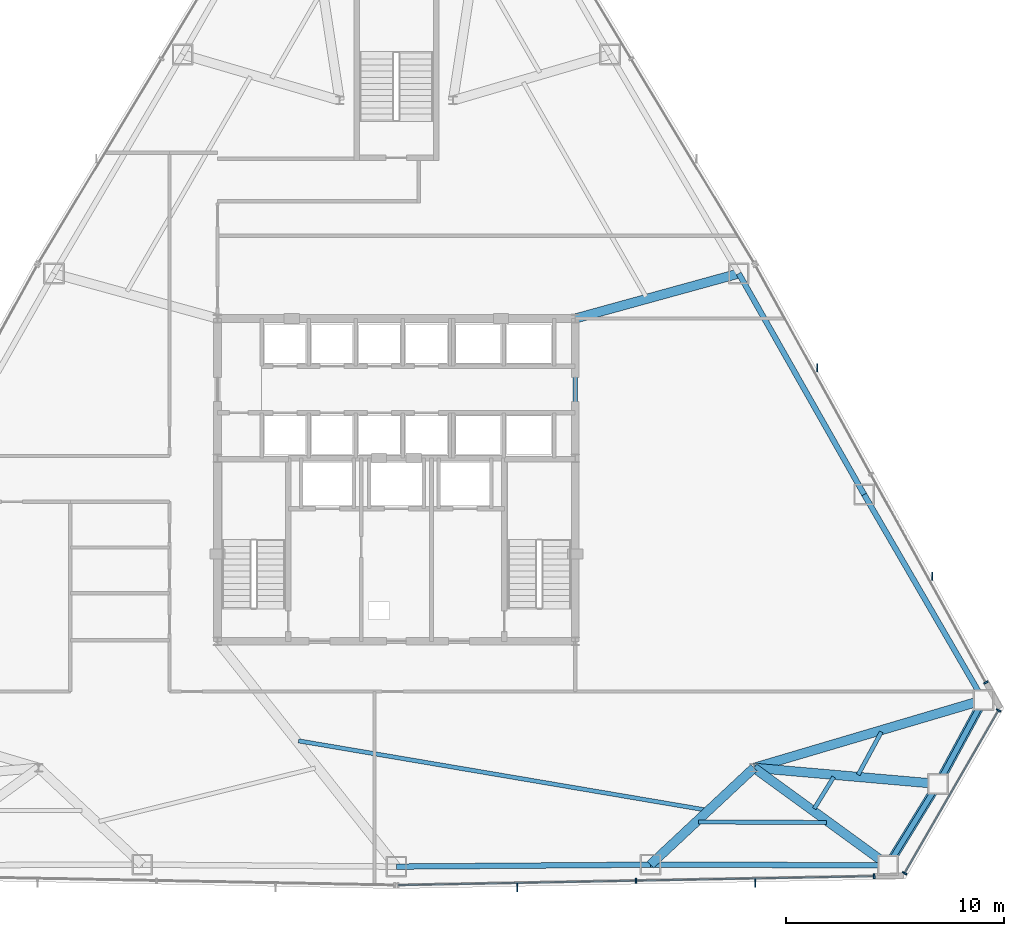
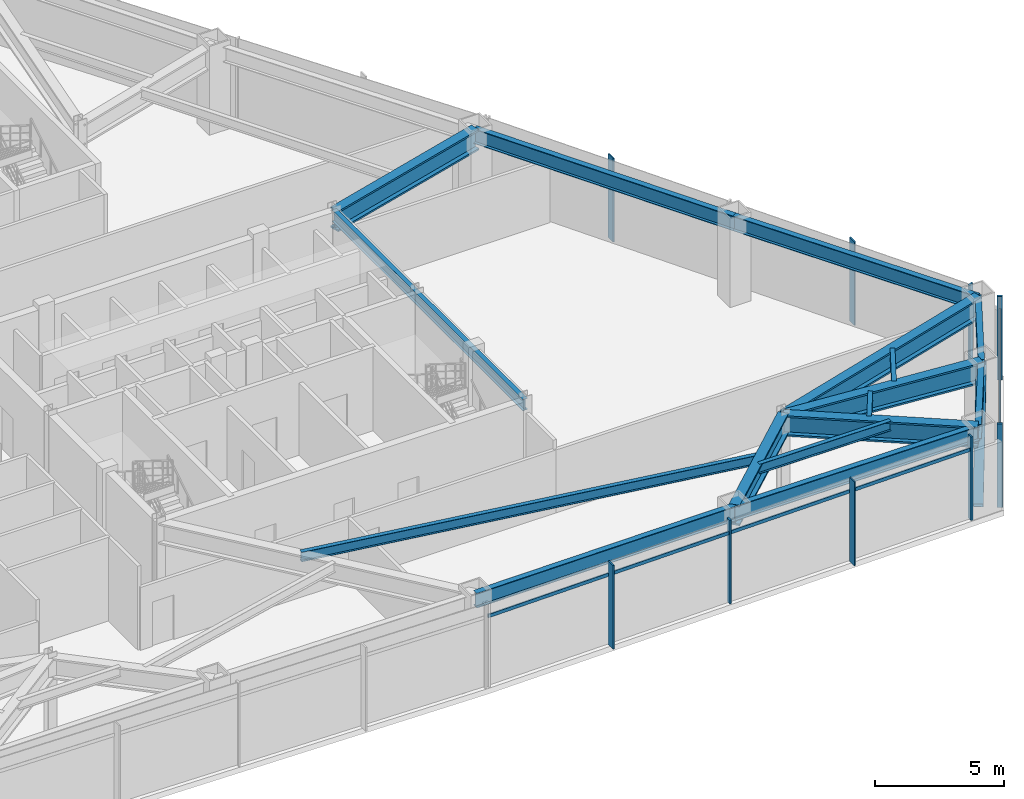
# One storey, part 6 of 13: 16 beams, 13 members, 3 elements without a shape of their own.
"""IFC4 building model written with IfcOpenShell, lengths in metres."""

from ifc_helpers import new_model, si_unit, direction, frame, origin, origin_2d, place, context, subcontext, project, spatial, rectangle, hollow_rectangle, i_section, extrude, source, transform, mapped, material, layer, layer_set, material_profile, profile_set, type_object, type_shapes, element, aggregate, save


model = new_model("IFC4")

# Units and contexts
model_context = context("Model", 3, precision=1e-05, world=origin(), true_north=direction((0.0, 1.0)))
body_context = subcontext(model_context, "Body", "Model", "MODEL_VIEW")
ifc_project = project(units=[si_unit("LENGTHUNIT", "METRE"), si_unit("AREAUNIT", "SQUARE_METRE"), si_unit("VOLUMEUNIT", "CUBIC_METRE"), si_unit("PLANEANGLEUNIT", "RADIAN"), si_unit("MASSUNIT", "GRAM", prefix="KILO")], contexts=[model_context])

# Site, building, storey
site_placement = place(None, origin())
site = spatial("IfcSite", under=ifc_project, at=site_placement, CompositionType="ELEMENT")
building_placement = place(site_placement, origin())
building = spatial("IfcBuilding", under=site, at=building_placement, Name="Varakhsha Concourse Tower", CompositionType="ELEMENT")
storey_placement = place(building_placement, frame((0.0, 0.0, 111.800048828125)))
storey = spatial("IfcBuildingStorey", under=building, at=storey_placement, Name="L32", CompositionType="ELEMENT", Elevation=111.800048828125)

# Beams
ifc_material_1 = material(Name="Structural Steel ASTM A992 Grade 50", Category="steel")
ifc_material_profile_1 = material_profile(ifc_material_1, i_section(OverallWidth=0.19091796875, OverallDepth=0.45703125, WebThickness=0.009033203125, FlangeThickness=0.013916015625, at=origin_2d()), Name="W18X50")
ifc_profile_set_1 = profile_set([ifc_material_profile_1], Name="Structural Steel ASTM A992 Grade 50")
beam_type_1 = type_object("IfcBeamType", Name="BM-JST-W18X50", PredefinedType="JOIST", material=ifc_profile_set_1)
beam_1_placement = place(storey_placement, frame((35.516357421875, 11.836669921875, 3.7314453125), z_axis=(0.98589366433, -0.167372885001, 0.0), x_axis=(0.167372885001, 0.98589366433, 0.0)))
element("IfcBeam", 1, at=beam_1_placement, inside=storey, type_object=beam_type_1, Name="BM-TJST-L32-11", PredefinedType="JOIST", context=body_context, shape_type="SweptSolid", body=[
    extrude(i_section(OverallWidth=0.19091796875, OverallDepth=0.45703125, WebThickness=0.009033203125, FlangeThickness=0.013916015625, at=origin_2d()), origin(), (0.0, 0.0, 1.0), 18.952392578125),
])
beam_2_placement = place(storey_placement, frame((53.849609375, 8.11279296875, 3.7314453125), z_axis=(0.999997100689, -0.002408030883, 0.0), x_axis=(0.002408030883, 0.999997100689, 0.0)))
element("IfcBeam", 2, at=beam_2_placement, inside=storey, type_object=beam_type_1, Name="BM-TJST-L32-12", PredefinedType="JOIST", context=body_context, shape_type="SweptSolid", body=[
    extrude(i_section(OverallWidth=0.19091796875, OverallDepth=0.45703125, WebThickness=0.009033203125, FlangeThickness=0.013916015625, at=origin_2d()), origin(), (0.0, 0.0, 1.0), 5.88037109375),
])
beam_3_placement = place(storey_placement, frame((59.160400390625, 8.728271484375, 3.7314453125), z_axis=(0.523602186986, 0.85196288052, 0.0), x_axis=(-0.85196288052, 0.523602186986, 0.0)))
element("IfcBeam", 3, at=beam_3_placement, inside=storey, type_object=beam_type_1, Name="BM-TJST-L32-13", PredefinedType="JOIST", context=body_context, shape_type="SweptSolid", body=[
    extrude(i_section(OverallWidth=0.19091796875, OverallDepth=0.45703125, WebThickness=0.009033203125, FlangeThickness=0.013916015625, at=origin_2d()), origin(), (0.0, 0.0, 1.0), 1.70556640625),
])
beam_4_placement = place(storey_placement, frame((61.175537109375, 10.283203125, 3.7314453125), z_axis=(0.476036409939, 0.879425571843, 0.0), x_axis=(-0.879425571843, 0.476036409939, 0.0)))
element("IfcBeam", 4, at=beam_4_placement, inside=storey, type_object=beam_type_1, Name="BM-TJST-L32-14", PredefinedType="JOIST", context=body_context, shape_type="SweptSolid", body=[
    extrude(i_section(OverallWidth=0.19091796875, OverallDepth=0.45703125, WebThickness=0.009033203125, FlangeThickness=0.013916015625, at=origin_2d()), origin(), (0.0, 0.0, 1.0), 2.2314453125),
])
ifc_material_profile_2 = material_profile(ifc_material_1, i_section(OverallWidth=0.2109375, OverallDepth=0.5390625, WebThickness=0.011962890625, FlangeThickness=0.01904296875, at=origin_2d()), Name="W21X73")
ifc_profile_set_2 = profile_set([ifc_material_profile_2], Name="Structural Steel ASTM A992 Grade 50")
beam_type_2 = type_object("IfcBeamType", Name="BM-RAD-W21X73", PredefinedType="BEAM", material=ifc_profile_set_2)
beam_5_placement = place(storey_placement, frame((48.199951171875, 16.39990234375, 3.6904296875), z_axis=(0.0, 1.0, 0.0), x_axis=(-1.0, 0.0, 0.0)))
element("IfcBeam", 5, at=beam_5_placement, inside=storey, type_object=beam_type_2, Name="BM-TCORE-L32-CE", PredefinedType="BEAM", context=body_context, shape_type="SweptSolid", body=[
    extrude(i_section(OverallWidth=0.2109375, OverallDepth=0.5390625, WebThickness=0.011962890625, FlangeThickness=0.01904296875, at=origin_2d()), origin(), (0.0, 0.0, 1.0), 14.800048828125),
])
ifc_material_profile_3 = material_profile(ifc_material_1, i_section(OverallWidth=0.25390625, OverallDepth=0.701904296875, WebThickness=0.014892578125, FlangeThickness=0.028076171875, at=origin_2d()), Name="W27X129")
ifc_profile_set_3 = profile_set([ifc_material_profile_3], Name="Structural Steel ASTM A992 Grade 50")
beam_type_3 = type_object("IfcBeamType", Name="BM-SPAN-W27X129", PredefinedType="SPANDREL", material=ifc_profile_set_3)
beam_6_placement = place(storey_placement, frame((40.0, 6.07080078125, 3.60888671875), z_axis=(0.999971223343, 0.007586335461, 0.0), x_axis=(-0.007586335461, 0.999971223343, 0.0)))
element("IfcBeam", 6, at=beam_6_placement, inside=storey, type_object=beam_type_3, Name="BM-SPAN-L32-11", PredefinedType="SPANDREL", context=body_context, shape_type="SweptSolid", body=[
    extrude(i_section(OverallWidth=0.25390625, OverallDepth=0.701904296875, WebThickness=0.014892578125, FlangeThickness=0.028076171875, at=origin_2d()), origin(), (0.0, 0.0, 1.0), 11.649658203125),
])
beam_7_placement = place(storey_placement, frame((51.6494140625, 6.1591796875, 3.60888671875), z_axis=(0.999997070487, -0.00242054067, 0.0), x_axis=(0.00242054067, 0.999997070487, 0.0)))
element("IfcBeam", 7, at=beam_7_placement, inside=storey, type_object=beam_type_3, Name="BM-SPAN-L32-12", PredefinedType="SPANDREL", context=body_context, shape_type="SweptSolid", body=[
    extrude(i_section(OverallWidth=0.25390625, OverallDepth=0.701904296875, WebThickness=0.014892578125, FlangeThickness=0.028076171875, at=origin_2d()), origin(), (0.0, 0.0, 1.0), 10.89306640625),
])
for number, where, z_axis, x_axis, name in (
    (8, (62.54248046875, 6.1328125, 3.60888671875), (0.523636767831, 0.851941626742, 0.0), (-0.851941626742, 0.523636767831, 0.0), "BM-SPAN-L32-13"),
    (9, (64.83447265625, 9.86181640625, 3.60888671875), (0.476004611829, 0.879442783538, 0.0), (-0.879442783538, 0.476004611829, 0.0), "BM-SPAN-L32-14"),
):
    element("IfcBeam", number, at=place(storey_placement, frame(where, z_axis=z_axis, x_axis=x_axis)), inside=storey, type_object=beam_type_3, Name=name, PredefinedType="SPANDREL", context=body_context, shape_type="SweptSolid", body=[
        extrude(i_section(OverallWidth=0.25390625, OverallDepth=0.701904296875, WebThickness=0.014892578125, FlangeThickness=0.028076171875, at=origin_2d()), origin(), (0.0, 0.0, 1.0), 4.376953125),
    ])
beam_8_placement = place(storey_placement, frame((66.91796875, 13.711181640625, 3.60888671875), z_axis=(-0.50210577919, 0.864806213267, 0.0), x_axis=(-0.864806213267, -0.50210577919, 0.0)))
element("IfcBeam", 10, at=beam_8_placement, inside=storey, type_object=beam_type_3, Name="BM-SPAN-L32-15", PredefinedType="SPANDREL", context=body_context, shape_type="SweptSolid", body=[
    extrude(i_section(OverallWidth=0.25390625, OverallDepth=0.701904296875, WebThickness=0.014892578125, FlangeThickness=0.028076171875, at=origin_2d()), origin(), (0.0, 0.0, 1.0), 10.89306640625),
])
beam_9_placement = place(storey_placement, frame((61.448486328125, 23.131591796875, 3.60888671875), z_axis=(-0.493401162042, 0.869801870138, 0.0), x_axis=(-0.869801870138, -0.493401162042, 0.0)))
element("IfcBeam", 11, at=beam_9_placement, inside=storey, type_object=beam_type_3, Name="BM-SPAN-L32-16", PredefinedType="SPANDREL", context=body_context, shape_type="SweptSolid", body=[
    extrude(i_section(OverallWidth=0.25390625, OverallDepth=0.701904296875, WebThickness=0.014892578125, FlangeThickness=0.028076171875, at=origin_2d()), origin(), (0.0, 0.0, 1.0), 11.64990234375),
])
ifc_material_profile_4 = material_profile(ifc_material_1, i_section(OverallWidth=0.427978515625, OverallDepth=0.97509765625, WebThickness=0.050048828125, FlangeThickness=0.0810546875, at=origin_2d()), Name="W36X395")
ifc_profile_set_4 = profile_set([ifc_material_profile_4], Name="Structural Steel ASTM A992 Grade 50")
beam_type_4 = type_object("IfcBeamType", Name="BM-XFER-W36X395", PredefinedType="USERDEFINED", material=ifc_profile_set_4)
beam_10_placement = place(storey_placement, frame((56.39990234375, 10.60009765625, 3.472412109375), z_axis=(-0.730508210248, -0.68290391327, 0.0), x_axis=(0.68290391327, -0.730508210248, 0.0)))
element("IfcBeam", 12, at=beam_10_placement, inside=storey, type_object=beam_type_4, Name="L32 Radial Floor Girder 12", ObjectType="GIRDER", PredefinedType="USERDEFINED", context=body_context, shape_type="SweptSolid", body=[
    extrude(i_section(OverallWidth=0.427978515625, OverallDepth=0.97509765625, WebThickness=0.050048828125, FlangeThickness=0.0810546875, at=origin_2d()), origin(), (0.0, 0.0, 1.0), 6.5029296875),
])
beam_11_placement = place(storey_placement, frame((56.39990234375, 10.60009765625, 3.472412109375), z_axis=(0.808738864301, -0.588167875158, 0.0), x_axis=(0.588167875158, 0.808738864301, 0.0)))
element("IfcBeam", 13, at=beam_11_placement, inside=storey, type_object=beam_type_4, Name="L32 Radial Floor Girder 13", ObjectType="GIRDER", PredefinedType="USERDEFINED", context=body_context, shape_type="SweptSolid", body=[
    extrude(i_section(OverallWidth=0.427978515625, OverallDepth=0.97509765625, WebThickness=0.050048828125, FlangeThickness=0.0810546875, at=origin_2d()), origin(), (0.0, 0.0, 1.0), 7.59521484375),
])
beam_12_placement = place(storey_placement, frame((56.39990234375, 10.60009765625, 3.472412109375), z_axis=(0.996191087958, -0.087196996931, 0.0), x_axis=(0.087196996931, 0.996191087958, 0.0)))
element("IfcBeam", 14, at=beam_12_placement, inside=storey, type_object=beam_type_4, Name="L32 Radial Floor Girder 14", ObjectType="GIRDER", PredefinedType="USERDEFINED", context=body_context, shape_type="SweptSolid", body=[
    extrude(i_section(OverallWidth=0.427978515625, OverallDepth=0.97509765625, WebThickness=0.050048828125, FlangeThickness=0.0810546875, at=origin_2d()), origin(), (0.0, 0.0, 1.0), 8.466796875),
])
beam_13_placement = place(storey_placement, frame((56.39990234375, 10.60009765625, 3.472412109375), z_axis=(0.958931612547, 0.283637378457, 0.0), x_axis=(-0.283637378457, 0.958931612547, 0.0)))
element("IfcBeam", 15, at=beam_13_placement, inside=storey, type_object=beam_type_4, Name="L32 Radial Floor Girder 15", ObjectType="GIRDER", PredefinedType="USERDEFINED", context=body_context, shape_type="SweptSolid", body=[
    extrude(i_section(OverallWidth=0.427978515625, OverallDepth=0.97509765625, WebThickness=0.050048828125, FlangeThickness=0.0810546875, at=origin_2d()), origin(), (0.0, 0.0, 1.0), 10.968505859375),
])
beam_14_placement = place(storey_placement, frame((48.199951171875, 31.199951171875, 3.472412109375), z_axis=(0.964137563105, 0.265403013189, 0.0), x_axis=(-0.265403013189, 0.964137563105, 0.0)))
element("IfcBeam", 16, at=beam_14_placement, inside=storey, type_object=beam_type_4, Name="L32 Radial Floor Girder 17", ObjectType="GIRDER", PredefinedType="USERDEFINED", context=body_context, shape_type="SweptSolid", body=[
    extrude(i_section(OverallWidth=0.427978515625, OverallDepth=0.97509765625, WebThickness=0.050048828125, FlangeThickness=0.0810546875, at=origin_2d()), origin(), (0.0, 0.0, 1.0), 7.779541015625),
])

# Members
ifc_material_2 = material(Name="Structural Steel ASTM A500 Grade C", Category="steel")
ifc_material_profile_5 = material_profile(ifc_material_2, hollow_rectangle(XDim=0.39990234375, YDim=0.39990234375, WallThickness=0.01611328125, at=origin_2d()), Name="HSS 400x400x16")
ifc_profile_set_5 = profile_set([ifc_material_profile_5], Name="Structural Steel ASTM A500 Grade C")
member_type_1 = type_object("IfcMemberType", Name="MB-TUBE-HSS400", PredefinedType="BRACE", material=ifc_profile_set_5)
shared_shape_1 = source(origin(), body_context, "Body", "SweptSolid", [
    extrude(hollow_rectangle(XDim=0.39990234375, YDim=0.39990234375, WallThickness=0.01611328125, at=origin_2d()), origin(), (0.0, 0.0, 1.0), 5.62939453125),
])
type_shapes(member_type_1, [shared_shape_1])
for number, where, z_axis, x_axis, name in (
    (17, (62.54248046875, 6.1328125, 0.119873046875), (0.407144032899, 0.662411371805, 0.628844107056), (-0.851941626742, 0.523636767831, 0.0), "L32 Wind-Corner Tube Brace B05"),
    (18, (66.91796875, 13.711181640625, 0.119873046875), (-0.370108040443, -0.68379347008, 0.6288453933), (0.879442783538, -0.476004611829, 0.0), "L32 Wind-Corner Tube Brace B06"),
):
    element("IfcMember", number, at=place(storey_placement, frame(where, z_axis=z_axis, x_axis=x_axis)), inside=storey, type_object=member_type_1, Name=name, PredefinedType="BRACE", context=body_context, shape_type="MappedRepresentation", body=[
        mapped(shared_shape_1, transform((0.0, 0.0, 0.0), scale=1.0)),
    ])

# Curtain wall, members
ifc_material_3 = material(Name="Anodised Bronze Architectural Aluminium AA 6063-T6", Category="aluminium")
ifc_layer = layer(ifc_material_3, 0.2099609375, Name="CW-SYS-04")
ifc_layer_set = layer_set([ifc_layer], Name="Anodised Bronze Architectural Aluminium AA 6063-T6")
curtain_wall_type = type_object("IfcCurtainWallType", Name="CW-SYS-04", PredefinedType="NOTDEFINED", material=ifc_layer_set)
curtain_wall_1_placement = place(storey_placement, origin())
curtain_wall_1 = element("IfcCurtainWall", 19, at=curtain_wall_1_placement, inside=storey, type_object=curtain_wall_type, Name="L32 Crystal Curtain Wall F6", PredefinedType="NOTDEFINED")
ifc_material_profile_6 = material_profile(ifc_material_3, rectangle(XDim=0.074951171875, YDim=0.219970703125, at=origin_2d()), Name="CWM-220X75")
ifc_profile_set_6 = profile_set([ifc_material_profile_6], Name="Anodised Bronze Architectural Aluminium AA 6063-T6")
member_type_2 = type_object("IfcMemberType", Name="CWM-220X75", PredefinedType="MULLION", material=ifc_profile_set_6)
shared_shape_2 = source(origin(), body_context, "Body", "SweptSolid", [
    extrude(rectangle(XDim=0.074951171875, YDim=0.219970703125, at=origin_2d()), origin(), (0.0, 0.0, 1.0), 3.9599609375),
])
type_shapes(member_type_2, [shared_shape_2])
member_1_placement = place(storey_placement, frame((61.909423828125, 5.633056640625, 0.0), z_axis=(0.0, 0.0, 1.0), x_axis=(-0.99982119913, -0.018909515352, 0.0)))
member_1 = element("IfcMember", 20, at=member_1_placement, type_object=member_type_2, Name="CW-L32-F6 Mullion 00", PredefinedType="MULLION", context=body_context, shape_type="MappedRepresentation", body=[
    mapped(shared_shape_2, transform((0.0, 0.0, 0.0), scale=1.0)),
])
member_2_placement = place(storey_placement, frame((50.993408203125, 5.4267578125, 0.0), z_axis=(0.0, 0.0, 1.0), x_axis=(-0.99982119913, -0.018909515352, 0.0)))
member_2 = element("IfcMember", 21, at=member_2_placement, type_object=member_type_2, Name="CW-L32-F6 Mullion 01", PredefinedType="MULLION", context=body_context, shape_type="MappedRepresentation", body=[
    mapped(shared_shape_2, transform((0.0, 0.0, 0.0), scale=1.0)),
])

curtain_wall_2_placement = place(storey_placement, origin())
curtain_wall_2 = element("IfcCurtainWall", 22, at=curtain_wall_2_placement, inside=storey, type_object=curtain_wall_type, Name="L32 Chamfer Curtain Wall F7", PredefinedType="NOTDEFINED")
member_3_placement = place(storey_placement, frame((67.6123046875, 13.233154296875, 0.0), z_axis=(0.0, 0.0, 1.0), x_axis=(-0.499992442484, -0.866029767075, 0.0)))
member_3 = element("IfcMember", 23, at=member_3_placement, type_object=member_type_2, Name="CW-L32-F7 Mullion 00", PredefinedType="MULLION", context=body_context, shape_type="MappedRepresentation", body=[
    mapped(shared_shape_2, transform((0.0, 0.0, 0.0), scale=1.0)),
])
member_4_placement = place(storey_placement, frame((63.3037109375, 5.7705078125, 0.0), z_axis=(0.0, 0.0, 1.0), x_axis=(-0.499992442484, -0.866029767075, 0.0)))
member_4 = element("IfcMember", 24, at=member_4_placement, type_object=member_type_2, Name="CW-L32-F7 Mullion 01", PredefinedType="MULLION", context=body_context, shape_type="MappedRepresentation", body=[
    mapped(shared_shape_2, transform((0.0, 0.0, 0.0), scale=1.0)),
])

# Curtain wall, member
curtain_wall_3_placement = place(storey_placement, origin())
curtain_wall_3 = element("IfcCurtainWall", 25, at=curtain_wall_3_placement, inside=storey, type_object=curtain_wall_type, Name="L32 Crystal Curtain Wall F8", PredefinedType="NOTDEFINED")
member_5_placement = place(storey_placement, frame((67.0341796875, 14.50927734375, 0.0), z_axis=(0.0, 0.0, 1.0), x_axis=(0.483536006627, -0.875324471436, 0.0)))
member_5 = element("IfcMember", 26, at=member_5_placement, type_object=member_type_2, Name="CW-L32-F8 Mullion 02", PredefinedType="MULLION", context=body_context, shape_type="MappedRepresentation", body=[
    mapped(shared_shape_2, transform((0.0, 0.0, 0.0), scale=1.0)),
])

# Member
ifc_material_profile_7 = material_profile(ifc_material_3, rectangle(XDim=0.06494140625, YDim=0.159912109375, at=origin_2d()), Name="CWT-160X65")
ifc_profile_set_7 = profile_set([ifc_material_profile_7], Name="Anodised Bronze Architectural Aluminium AA 6063-T6")
member_type_3 = type_object("IfcMemberType", Name="CWT-160X65", PredefinedType="USERDEFINED", material=ifc_profile_set_7)
shared_shape_3 = source(origin(), body_context, "Body", "SweptSolid", [
    extrude(rectangle(XDim=0.06494140625, YDim=0.159912109375, at=origin_2d()), origin(), (0.0, 0.0, 1.0), 8.6171875),
])
member_6_placement = place(storey_placement, frame((67.6123046875, 13.233154296875, 3.31005859375), z_axis=(-0.500002854197, -0.866023755907, 0.0), x_axis=(0.866023755907, -0.500002854197, 0.0)))
member_6 = element("IfcMember", 27, at=member_6_placement, type_object=member_type_3, Name="CW-L32-F7 Transom 01", ObjectType="TRANSOM", PredefinedType="USERDEFINED", context=body_context, shape_type="MappedRepresentation", body=[
    mapped(shared_shape_3, transform((0.0, 0.0, 0.0), scale=1.0)),
])

aggregate(curtain_wall_2, [member_3, member_4, member_6])

shared_shape_4 = source(origin(), body_context, "Body", "SweptSolid", [
    extrude(rectangle(XDim=0.06494140625, YDim=0.159912109375, at=origin_2d()), origin(), (0.0, 0.0, 1.0), 21.83642578125),
])
type_shapes(member_type_3, [shared_shape_3, shared_shape_4])
member_7_placement = place(storey_placement, frame((61.909423828125, 5.633056640625, 3.31005859375), z_axis=(-0.999821263537, -0.018906109595, 0.0), x_axis=(0.018906109595, -0.999821263537, 0.0)))
member_7 = element("IfcMember", 28, at=member_7_placement, type_object=member_type_3, Name="CW-L32-F6 Transom 01", ObjectType="TRANSOM", PredefinedType="USERDEFINED", context=body_context, shape_type="MappedRepresentation", body=[
    mapped(shared_shape_4, transform((0.0, 0.0, 0.0), scale=1.0)),
])

ifc_material_profile_8 = material_profile(ifc_material_3, rectangle(XDim=0.06005859375, YDim=0.3798828125, at=origin_2d()), Name="FIN-BRZ-380")
ifc_profile_set_8 = profile_set([ifc_material_profile_8], Name="Anodised Bronze Architectural Aluminium AA 6063-T6")
member_type_4 = type_object("IfcMemberType", Name="FIN-BRZ-380", PredefinedType="USERDEFINED", material=ifc_profile_set_8)
shared_shape_5 = source(origin(), body_context, "Body", "SweptSolid", [
    extrude(rectangle(XDim=0.06005859375, YDim=0.3798828125, at=origin_2d()), origin(), (0.0, 0.0, 1.0), 3.9599609375),
])
type_shapes(member_type_4, [shared_shape_5])
member_8_placement = place(storey_placement, frame((56.455322265625, 5.324951171875, 0.0), z_axis=(0.0, 0.0, 1.0), x_axis=(1.0, 0.0, 0.0)))
member_8 = element("IfcMember", 29, at=member_8_placement, type_object=member_type_4, Name="L32 Anodised Bronze Solar Fin F6-1", ObjectType="SOLAR FIN", PredefinedType="USERDEFINED", context=body_context, shape_type="MappedRepresentation", body=[
    mapped(shared_shape_5, transform((0.0, 0.0, 0.0), scale=1.0)),
])

member_9_placement = place(storey_placement, frame((45.5390625, 5.118408203125, 0.0), z_axis=(0.0, 0.0, 1.0), x_axis=(1.0, 0.0, 0.0)))
member_9 = element("IfcMember", 30, at=member_9_placement, type_object=member_type_4, Name="L32 Anodised Bronze Solar Fin F6-2", ObjectType="SOLAR FIN", PredefinedType="USERDEFINED", context=body_context, shape_type="MappedRepresentation", body=[
    mapped(shared_shape_5, transform((0.0, 0.0, 0.0), scale=1.0)),
])

aggregate(curtain_wall_1, [member_1, member_2, member_7, member_8, member_9])

member_10_placement = place(storey_placement, frame((59.294677734375, 28.94384765625, 0.0), z_axis=(0.0, 0.0, 1.0), x_axis=(1.0, 0.0, 0.0)))
member_10 = element("IfcMember", 31, at=member_10_placement, type_object=member_type_4, Name="L32 Anodised Bronze Solar Fin F8-1", ObjectType="SOLAR FIN", PredefinedType="USERDEFINED", context=body_context, shape_type="MappedRepresentation", body=[
    mapped(shared_shape_5, transform((0.0, 0.0, 0.0), scale=1.0)),
])

member_11_placement = place(storey_placement, frame((64.573974609375, 19.386962890625, 0.0), z_axis=(0.0, 0.0, 1.0), x_axis=(1.0, 0.0, 0.0)))
member_11 = element("IfcMember", 32, at=member_11_placement, type_object=member_type_4, Name="L32 Anodised Bronze Solar Fin F8-2", ObjectType="SOLAR FIN", PredefinedType="USERDEFINED", context=body_context, shape_type="MappedRepresentation", body=[
    mapped(shared_shape_5, transform((0.0, 0.0, 0.0), scale=1.0)),
])

aggregate(curtain_wall_3, [member_5, member_10, member_11])

save(model, "model.ifc")
